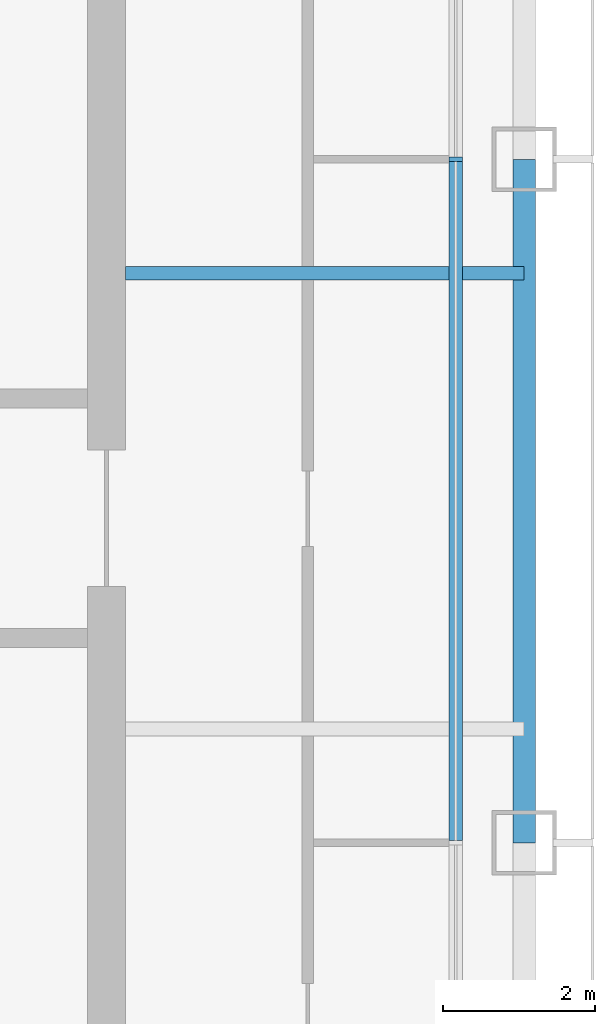
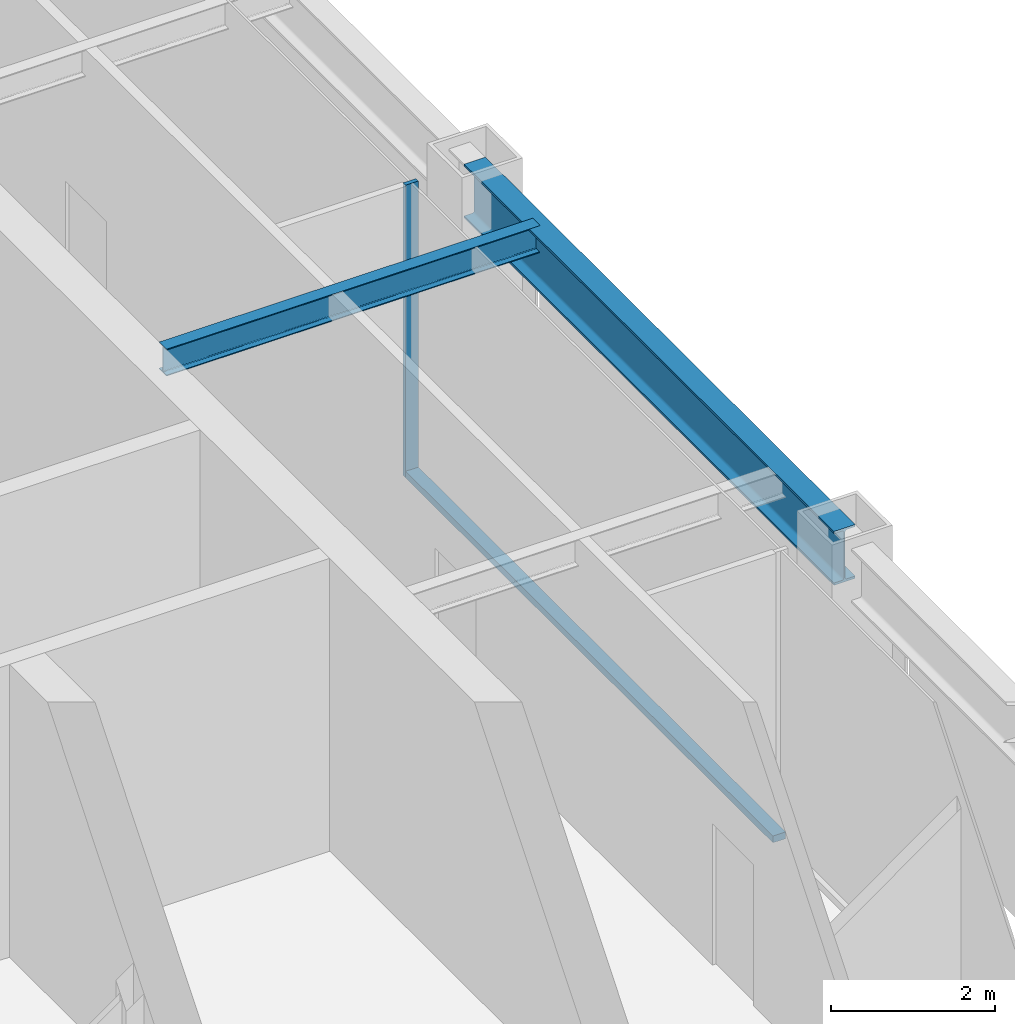
# One storey, part 5 of 19: 2 beams, 2 members, 1 element without a shape of its own.
"""IFC4 building model written with IfcOpenShell, lengths in metres."""

from ifc_helpers import new_model, si_unit, direction, frame, origin, origin_2d, place, context, subcontext, project, spatial, rectangle, i_section, extrude, material, layer, layer_set, material_profile, profile_set, type_object, element, aggregate, save


model = new_model("IFC4")

# Units and contexts
model_context = context("Model", 3, precision=1e-05, world=origin(), true_north=direction((0.0, 1.0)))
body_context = subcontext(model_context, "Body", "Model", "MODEL_VIEW")
ifc_project = project(units=[si_unit("LENGTHUNIT", "METRE"), si_unit("AREAUNIT", "SQUARE_METRE"), si_unit("VOLUMEUNIT", "CUBIC_METRE"), si_unit("PLANEANGLEUNIT", "RADIAN"), si_unit("MASSUNIT", "GRAM", prefix="KILO")], contexts=[model_context])

# Site, building, storey
site_placement = place(None, origin())
site = spatial("IfcSite", under=ifc_project, at=site_placement, CompositionType="ELEMENT")
building_placement = place(site_placement, origin())
building = spatial("IfcBuilding", under=site, at=building_placement, Name="Siwar Civic Tower", CompositionType="ELEMENT")
storey_placement = place(building_placement, frame((0.0, 0.0, 210.699951171875)))
storey = spatial("IfcBuildingStorey", under=building, at=storey_placement, Name="L45", CompositionType="ELEMENT", Elevation=210.699951171875)

# Curtain wall, members
ifc_material_1 = material(Name="Aluminium and glass", Category="aluminium")
ifc_layer = layer(ifc_material_1, 0.179931640625)
ifc_layer_set = layer_set([ifc_layer], Name="Aluminium and glass")
curtain_wall_type = type_object("IfcCurtainWallType", Name="ENV-CW-C", PredefinedType="NOTDEFINED", material=ifc_layer_set)
curtain_wall_placement = place(storey_placement, origin())
curtain_wall = element("IfcCurtainWall", 1, at=curtain_wall_placement, inside=storey, type_object=curtain_wall_type, Name="Curtain wall C E", PredefinedType="NOTDEFINED")
ifc_material_2 = material(Name="Aluminium 6063-T6", Category="aluminium")
ifc_material_profile_1 = material_profile(ifc_material_2, rectangle(XDim=0.179931640625, YDim=0.06005859375, at=origin_2d()), Name="AL 180x60")
ifc_profile_set_1 = profile_set([ifc_material_profile_1], Name="Aluminium 6063-T6")
member_type_1 = type_object("IfcMemberType", Name="ENV-MULLION-C", PredefinedType="MULLION", material=ifc_profile_set_1)
member_1_placement = place(storey_placement, frame((26.10009765625, 0.0, 0.0), z_axis=(0.0, 0.0, 1.0), x_axis=(-1.0, 0.0, 0.0)))
member_1 = element("IfcMember", 2, at=member_1_placement, type_object=member_type_1, Name="Mullion C E 3", PredefinedType="MULLION", context=body_context, shape_type="SweptSolid", body=[
    extrude(rectangle(XDim=0.179931640625, YDim=0.06005859375, at=origin_2d()), origin(), (0.0, 0.0, 1.0), 4.35009765625),
])
ifc_material_3 = material(Name="Aluminium 6063-T6", Category="aluminium")
ifc_material_profile_2 = material_profile(ifc_material_3, rectangle(XDim=0.179931640625, YDim=0.10009765625, at=origin_2d()), Name="AL 180x100")
ifc_profile_set_2 = profile_set([ifc_material_profile_2], Name="Aluminium 6063-T6")
member_type_2 = type_object("IfcMemberType", Name="ENV-TRANSOM-C", PredefinedType="USERDEFINED", material=ifc_profile_set_2)
member_2_placement = place(storey_placement, frame((26.10009765625, -8.969970703125, 0.050048828125), z_axis=(0.0, 1.0, 0.0), x_axis=(-1.0, 0.0, 0.0)))
member_2 = element("IfcMember", 3, at=member_2_placement, type_object=member_type_2, Name="Transom C E 2", ObjectType="TRANSOM", PredefinedType="USERDEFINED", context=body_context, shape_type="SweptSolid", body=[
    extrude(rectangle(XDim=0.179931640625, YDim=0.10009765625, at=origin_2d()), origin(), (0.0, 0.0, 1.0), 8.93994140625),
])
aggregate(curtain_wall, [member_1, member_2])

# Beams
ifc_material_4 = material(Name="Steel S355", Category="steel")
ifc_material_profile_3 = material_profile(ifc_material_4, i_section(OverallWidth=0.179931640625, OverallDepth=0.39990234375, WebThickness=0.008544921875, FlangeThickness=0.013427734375, FilletRadius=0.02099609375, at=origin_2d()), Name="IPE400")
ifc_profile_set_3 = profile_set([ifc_material_profile_3], Name="Steel S355")
beam_type_1 = type_object("IfcBeamType", Name="STR-FB-IPE400", PredefinedType="JOIST", material=ifc_profile_set_3)
beam_1_placement = place(storey_placement, frame((21.75, -1.5, 4.150146484375), z_axis=(1.0, 0.0, 0.0), x_axis=(0.0, 1.0, 0.0)))
element("IfcBeam", 4, at=beam_1_placement, inside=storey, type_object=beam_type_1, Name="L45/bm/F024", PredefinedType="JOIST", context=body_context, shape_type="SweptSolid", body=[
    extrude(i_section(OverallWidth=0.179931640625, OverallDepth=0.39990234375, WebThickness=0.008544921875, FlangeThickness=0.013427734375, FilletRadius=0.02099609375, at=origin_2d()), origin(), (0.0, 0.0, 1.0), 5.25),
])
ifc_material_5 = material(Name="Steel S355", Category="steel")
ifc_material_profile_4 = material_profile(ifc_material_5, i_section(OverallWidth=0.300048828125, OverallDepth=0.800048828125, WebThickness=0.017578125, FlangeThickness=0.032958984375, FilletRadius=0.030029296875, at=origin_2d()), Name="HEB800")
ifc_profile_set_4 = profile_set([ifc_material_profile_4], Name="Steel S355")
beam_type_2 = type_object("IfcBeamType", Name="STR-SB-HEB800", PredefinedType="BEAM", material=ifc_profile_set_4)
beam_2_placement = place(storey_placement, frame((27.0, -9.0, 3.949951171875), z_axis=(0.0, 1.0, 0.0), x_axis=(-1.0, 0.0, 0.0)))
element("IfcBeam", 5, at=beam_2_placement, inside=storey, type_object=beam_type_2, Name="L45/bm/SE-1", PredefinedType="BEAM", context=body_context, shape_type="SweptSolid", body=[
    extrude(i_section(OverallWidth=0.300048828125, OverallDepth=0.800048828125, WebThickness=0.017578125, FlangeThickness=0.032958984375, FilletRadius=0.030029296875, at=origin_2d()), origin(), (0.0, 0.0, 1.0), 9.0),
])

save(model, "model.ifc")
